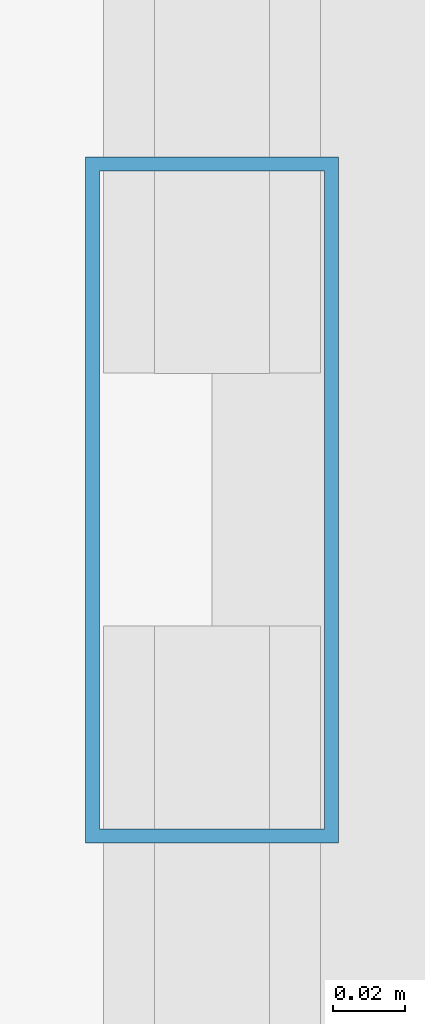
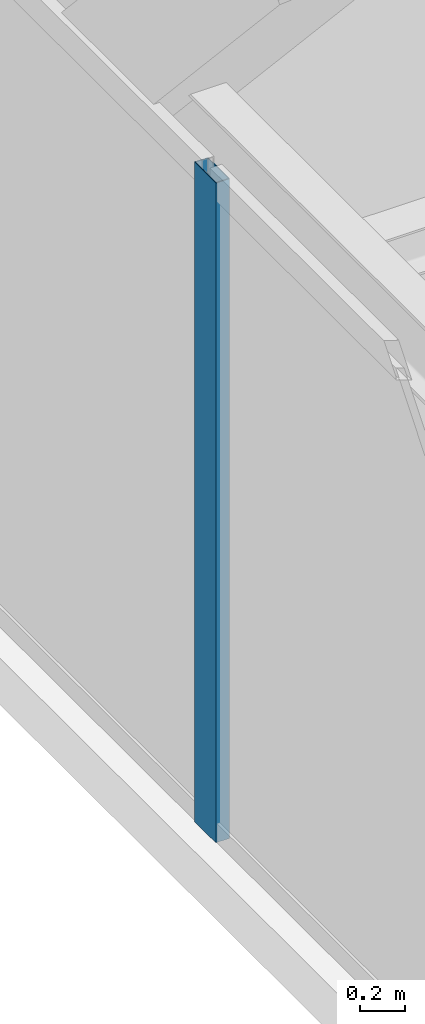
# One storey, part 12 of 38: 1 member, 1 element without a shape of its own.
"""IFC4 building model written with IfcOpenShell, lengths in metres."""

from ifc_helpers import new_model, si_unit, direction, frame, origin, origin_2d, place, context, subcontext, project, spatial, hollow_rectangle, extrude, source, transform, mapped, material, layer, layer_set, material_profile, profile_set, type_object, type_shapes, element, aggregate, save


model = new_model("IFC4")

# Units and contexts
model_context = context("Model", 3, precision=1e-05, world=origin(), true_north=direction((0.0, 1.0)))
body_context = subcontext(model_context, "Body", "Model", "MODEL_VIEW")
ifc_project = project(units=[si_unit("LENGTHUNIT", "METRE"), si_unit("AREAUNIT", "SQUARE_METRE"), si_unit("VOLUMEUNIT", "CUBIC_METRE"), si_unit("PLANEANGLEUNIT", "RADIAN"), si_unit("MASSUNIT", "GRAM", prefix="KILO")], contexts=[model_context])

# Site, building, storey
site_placement = place(None, origin())
site = spatial("IfcSite", under=ifc_project, at=site_placement, CompositionType="ELEMENT")
building_placement = place(site_placement, origin())
building = spatial("IfcBuilding", under=site, at=building_placement, Name="Varnel Quay Broadcast Tower", CompositionType="ELEMENT")
storey_placement = place(building_placement, frame((0.0, 0.0, 118.199951171875)))
storey = spatial("IfcBuildingStorey", under=building, at=storey_placement, Name="L28", CompositionType="ELEMENT", Elevation=118.199951171875)

# Curtain wall, member
ifc_material = material(Name="Anodised Bronze Aluminium 6063-T6", Category="aluminium")
ifc_layer = layer(ifc_material, 0.18994140625, Name="Anodised Bronze Aluminium 6063-T6")
ifc_layer_set = layer_set([ifc_layer], Name="Anodised Bronze Aluminium 6063-T6")
curtain_wall_type = type_object("IfcCurtainWallType", Name="CW_LowerTower", PredefinedType="NOTDEFINED", material=ifc_layer_set)
curtain_wall_placement = place(storey_placement, origin())
curtain_wall = element("IfcCurtainWall", 1, at=curtain_wall_placement, inside=storey, type_object=curtain_wall_type, Name="L28 West Unitised Curtain Wall", PredefinedType="NOTDEFINED")
ifc_material_profile = material_profile(ifc_material, hollow_rectangle(XDim=0.070068359375, YDim=0.18994140625, WallThickness=0.00390625, at=origin_2d()), Name="ALU70X190X4")
ifc_profile_set = profile_set([ifc_material_profile], Name="Anodised Bronze Aluminium 6063-T6")
member_type = type_object("IfcMemberType", Name="Mull_CWS-02", PredefinedType="MULLION", material=ifc_profile_set)
shared_shape = source(origin(), body_context, "Body", "SweptSolid", [
    extrude(hollow_rectangle(XDim=0.070068359375, YDim=0.18994140625, WallThickness=0.00390625, at=origin_2d()), origin(), (0.0, 0.0, 1.0), 3.550048828125),
])
type_shapes(member_type, [shared_shape])
member_placement = place(storey_placement, frame((4.64990234375, 31.39990234375, 0.0), z_axis=(0.0, 0.0, 1.0), x_axis=(-1.0, 0.0, 0.0)))
member = element("IfcMember", 2, at=member_placement, type_object=member_type, Name="CWS-02 mullion 3", PredefinedType="MULLION", context=body_context, shape_type="MappedRepresentation", body=[
    mapped(shared_shape, transform((0.0, 0.0, 0.0), x_axis=(1.0, 0.0, 0.0), y_axis=(0.0, 1.0, 0.0), z_axis=(0.0, 0.0, 1.0), scale=1.0)),
])
aggregate(curtain_wall, [member])

save(model, "model.ifc")
